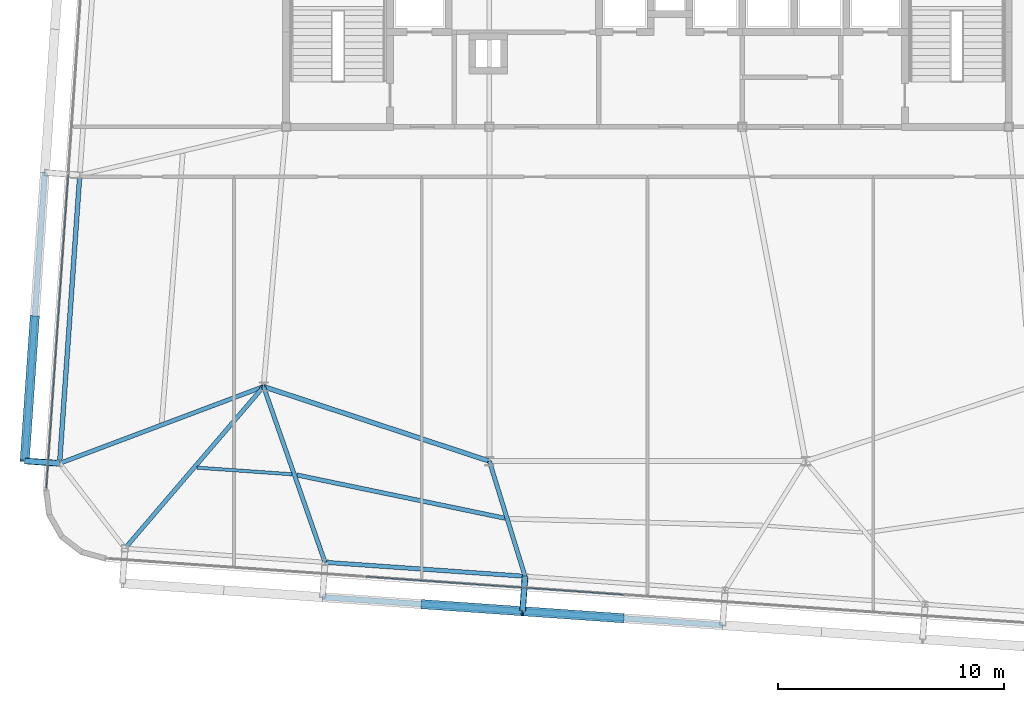
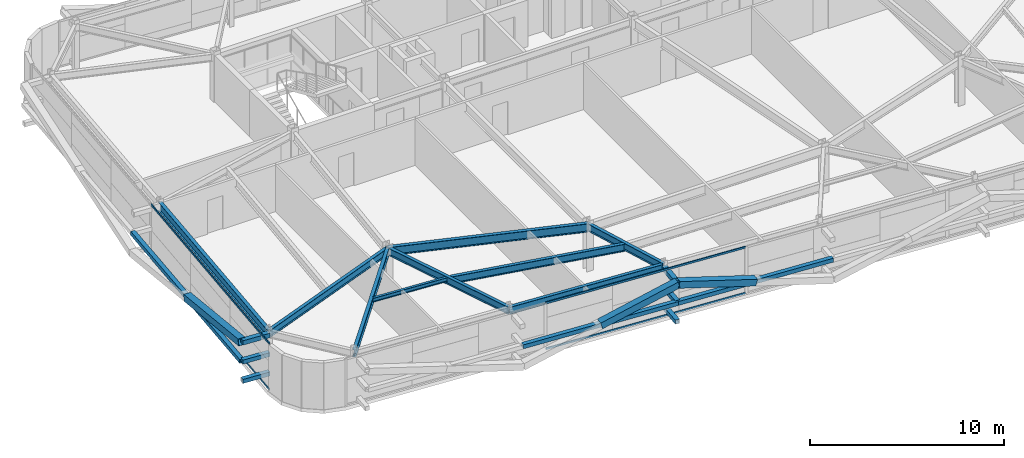
# One storey, part 8 of 39: 16 members, 9 beams, 2 elements without a shape of their own.
"""IFC4 building model written with IfcOpenShell, lengths in metres."""

from ifc_helpers import new_model, si_unit, direction, frame, origin, origin_2d, place, context, subcontext, project, spatial, hollow_rectangle, i_section, extrude, source, transform, mapped, material, layer, layer_set, material_profile, profile_set, type_object, element, aggregate, save


model = new_model("IFC4")

# Units and contexts
model_context = context("Model", 3, precision=1e-05, world=origin(), true_north=direction((0.0, 1.0)))
body_context = subcontext(model_context, "Body", "Model", "MODEL_VIEW")
ifc_project = project(units=[si_unit("LENGTHUNIT", "METRE"), si_unit("AREAUNIT", "SQUARE_METRE"), si_unit("VOLUMEUNIT", "CUBIC_METRE"), si_unit("PLANEANGLEUNIT", "RADIAN"), si_unit("MASSUNIT", "GRAM", prefix="KILO")], contexts=[model_context])

# Site, building, storey
site_placement = place(None, origin())
site = spatial("IfcSite", under=ifc_project, at=site_placement, CompositionType="ELEMENT")
building_placement = place(site_placement, origin())
building = spatial("IfcBuilding", under=site, at=building_placement, Name="Taldren Reach Tower", CompositionType="ELEMENT")
storey_placement = place(building_placement, frame((0.0, 0.0, 148.75)))
storey = spatial("IfcBuildingStorey", under=building, at=storey_placement, Name="L45", CompositionType="ELEMENT", Elevation=148.75)

# Beam
ifc_material_1 = material(Name="Steel Gr 350 (350PLUS)", Category="steel")
ifc_material_profile_1 = material_profile(ifc_material_1, i_section(OverallWidth=0.208984375, OverallDepth=0.532958984375, WebThickness=0.01025390625, FlangeThickness=0.015625, at=origin_2d()), Name="530UB92.4")
ifc_profile_set_1 = profile_set([ifc_material_profile_1], Name="Steel Gr 350 (350PLUS)")
beam_type_1 = type_object("IfcBeamType", Name="BM-UB530A", PredefinedType="BEAM", material=ifc_profile_set_1)
shared_shape_1 = source(origin(), body_context, "Body", "SweptSolid", [
    extrude(i_section(OverallWidth=0.208984375, OverallDepth=0.532958984375, WebThickness=0.01025390625, FlangeThickness=0.015625, at=origin_2d()), origin(), (0.0, 0.0, 1.0), 10.530517578125),
])
beam_1_placement = place(storey_placement, frame((18.0, 12.5, 2.66357421875), z_axis=(0.949627269203, -0.313381635689, 0.0), x_axis=(0.313381635689, 0.949627269203, 0.0)))
element("IfcBeam", 1, at=beam_1_placement, inside=storey, type_object=beam_type_1, Name="Core-spine girder L45-SP10", PredefinedType="BEAM", context=body_context, shape_type="MappedRepresentation", body=[
    mapped(shared_shape_1, transform((0.0, 0.0, 0.0), scale=1.0)),
])

# Members
ifc_material_2 = material(Name="Steel Gr 450 (C450L0)", Category="steel")
ifc_material_profile_2 = material_profile(ifc_material_2, hollow_rectangle(XDim=0.27490234375, YDim=0.27490234375, WallThickness=0.00927734375, at=origin_2d()), Name="275x275x9.3SHS")
ifc_profile_set_2 = profile_set([ifc_material_profile_2], Name="Steel Gr 450 (C450L0)")
member_type_1 = type_object("IfcMemberType", Name="MB-TIE273", PredefinedType="STRUT", material=ifc_profile_set_2)
shared_shape_2 = source(origin(), body_context, "Body", "SweptSolid", [
    extrude(hollow_rectangle(XDim=0.27490234375, YDim=0.27490234375, WallThickness=0.00927734375, at=origin_2d()), origin(), (0.0, 0.0, 1.0), 1.5498046875),
])
member_1_placement = place(storey_placement, frame((8.96875, 9.099609375, 2.64990234375), z_axis=(-0.997573320145, 0.069623781384, 0.0), x_axis=(-0.069623781384, -0.997573320145, 0.0)))
element("IfcMember", 2, at=member_1_placement, inside=storey, type_object=member_type_1, Name="Exoskeleton diaphragm tie strut B3-W1 L45", PredefinedType="STRUT", context=body_context, shape_type="MappedRepresentation", body=[
    mapped(shared_shape_2, transform((0.0, 0.0, 0.0), scale=1.0)),
])
ifc_material_3 = material(Name="Steel Gr 350 (C350L0)", Category="steel")
ifc_material_profile_3 = material_profile(ifc_material_3, hollow_rectangle(XDim=0.25, YDim=0.25, WallThickness=0.010009765625, at=origin_2d()), Name="250x250x10.0SHS")
ifc_profile_set_3 = profile_set([ifc_material_profile_3], Name="Steel Gr 350 (C350L0)")
member_type_2 = type_object("IfcMemberType", Name="MB-POST250", PredefinedType="POST", material=ifc_profile_set_3)
shared_shape_3 = source(origin(), body_context, "Body", "SweptSolid", [
    extrude(hollow_rectangle(XDim=0.25, YDim=0.25, WallThickness=0.010009765625, at=origin_2d()), origin(), (0.0, 0.0, 1.0), 1.5498046875),
])
for number, where, z_axis, x_axis, name in (
    (3, (8.96875, 9.099609375, 0.219970703125), (-0.997573320145, 0.069623781384, 0.0), (-0.069623781384, -0.997573320145, 0.0), "Exoskeleton base diaphragm tie strut B3-W1 L45"),
    (4, (8.96875, 9.099609375, 1.43505859375), (-0.997573320145, 0.069623781384, 0.0), (-0.069623781384, -0.997573320145, 0.0), "Exoskeleton mid-tier diaphragm tie B3-W1 L45"),
):
    element("IfcMember", number, at=place(storey_placement, frame(where, z_axis=z_axis, x_axis=x_axis)), inside=storey, type_object=member_type_2, Name=name, PredefinedType="POST", context=body_context, shape_type="MappedRepresentation", body=[
        mapped(shared_shape_3, transform((0.0, 0.0, 0.0), scale=1.0)),
    ])
shared_shape_4 = source(origin(), body_context, "Body", "SweptSolid", [
    extrude(hollow_rectangle(XDim=0.27490234375, YDim=0.27490234375, WallThickness=0.00927734375, at=origin_2d()), origin(), (0.0, 0.0, 1.0), 1.550048828125),
])
member_2_placement = place(storey_placement, frame((29.580322265625, 4.099609375, 2.64990234375), z_axis=(-0.06976957191, -0.99756313426, 0.0), x_axis=(0.99756313426, -0.06976957191, 0.0)))
element("IfcMember", 5, at=member_2_placement, inside=storey, type_object=member_type_1, Name="Exoskeleton diaphragm tie strut B3-S3 L45", PredefinedType="STRUT", context=body_context, shape_type="MappedRepresentation", body=[
    mapped(shared_shape_4, transform((0.0, 0.0, 0.0), scale=1.0)),
])
shared_shape_5 = source(origin(), body_context, "Body", "SweptSolid", [
    extrude(hollow_rectangle(XDim=0.25, YDim=0.25, WallThickness=0.010009765625, at=origin_2d()), origin(), (0.0, 0.0, 1.0), 1.550048828125),
])
for number, where, z_axis, x_axis, name in (
    (6, (29.580322265625, 4.099609375, 0.219970703125), (-0.06976957191, -0.99756313426, 0.0), (0.99756313426, -0.06976957191, 0.0), "Exoskeleton base diaphragm tie strut B3-S3 L45"),
    (7, (29.580322265625, 4.099609375, 1.43505859375), (-0.06976957191, -0.99756313426, 0.0), (0.99756313426, -0.06976957191, 0.0), "Exoskeleton mid-tier diaphragm tie B3-S3 L45"),
):
    element("IfcMember", number, at=place(storey_placement, frame(where, z_axis=z_axis, x_axis=x_axis)), inside=storey, type_object=member_type_2, Name=name, PredefinedType="POST", context=body_context, shape_type="MappedRepresentation", body=[
        mapped(shared_shape_5, transform((0.0, 0.0, 0.0), scale=1.0)),
    ])

# Beams
ifc_material_profile_4 = material_profile(ifc_material_1, i_section(OverallWidth=0.18994140625, OverallDepth=0.4541015625, WebThickness=0.008544921875, FlangeThickness=0.0126953125, at=origin_2d()), Name="460UB67.1")
ifc_profile_set_4 = profile_set([ifc_material_profile_4], Name="Steel Gr 350 (350PLUS)")
beam_type_2 = type_object("IfcBeamType", Name="SP-UB460B", PredefinedType="SPANDREL", material=ifc_profile_set_4)
shared_shape_6 = source(origin(), body_context, "Body", "SweptSolid", [
    extrude(i_section(OverallWidth=0.18994140625, OverallDepth=0.4541015625, WebThickness=0.008544921875, FlangeThickness=0.0126953125, at=origin_2d()), origin(), (0.0, 0.0, 1.0), 8.880126953125),
])
beam_2_placement = place(storey_placement, frame((20.721923828125, 4.718994140625, 2.702880859375), z_axis=(0.997564479639, -0.069750333063, 0.0), x_axis=(0.069750333063, 0.997564479639, 0.0)))
element("IfcBeam", 8, at=beam_2_placement, inside=storey, type_object=beam_type_2, Name="Perimeter spandrel B3 S2-S3 L45", PredefinedType="SPANDREL", context=body_context, shape_type="MappedRepresentation", body=[
    mapped(shared_shape_6, transform((0.0, 0.0, 0.0), scale=1.0)),
])
ifc_material_profile_5 = material_profile(ifc_material_1, i_section(OverallWidth=0.208984375, OverallDepth=0.528076171875, WebThickness=0.009521484375, FlangeThickness=0.01318359375, at=origin_2d()), Name="530UB82.0")
ifc_profile_set_5 = profile_set([ifc_material_profile_5], Name="Steel Gr 350 (350PLUS)")
beam_type_3 = type_object("IfcBeamType", Name="SP-UB530B", PredefinedType="SPANDREL", material=ifc_profile_set_5)
shared_shape_7 = source(origin(), body_context, "Body", "SweptSolid", [
    extrude(i_section(OverallWidth=0.208984375, OverallDepth=0.528076171875, WebThickness=0.009521484375, FlangeThickness=0.01318359375, at=origin_2d()), origin(), (0.0, 0.0, 1.0), 12.800048828125),
])
beam_3_placement = place(storey_placement, frame((9.86181640625, 21.868408203125, 2.666015625), z_axis=(-0.069770857464, -0.997563044348, 0.0), x_axis=(0.997563044348, -0.069770857464, 0.0)))
element("IfcBeam", 9, at=beam_3_placement, inside=storey, type_object=beam_type_3, Name="Perimeter spandrel B3 W2-W1 L45", PredefinedType="SPANDREL", context=body_context, shape_type="MappedRepresentation", body=[
    mapped(shared_shape_7, transform((0.0, 0.0, 0.0), scale=1.0)),
])
ifc_material_profile_6 = material_profile(ifc_material_1, i_section(OverallWidth=0.19091796875, OverallDepth=0.4599609375, WebThickness=0.010009765625, FlangeThickness=0.01611328125, at=origin_2d()), Name="460UB82.1")
ifc_profile_set_6 = profile_set([ifc_material_profile_6], Name="Steel Gr 350 (350PLUS)")
beam_type_4 = type_object("IfcBeamType", Name="BM-UB460A", PredefinedType="BEAM", material=ifc_profile_set_6)
shared_shape_8 = source(origin(), body_context, "Body", "SweptSolid", [
    extrude(i_section(OverallWidth=0.19091796875, OverallDepth=0.4599609375, WebThickness=0.010009765625, FlangeThickness=0.01611328125, at=origin_2d()), origin(), (0.0, 0.0, 1.0), 9.43115234375),
])
beam_4_placement = place(storey_placement, frame((18.0, 12.5, 2.699951171875), z_axis=(-0.650665584965, -0.759364402999, 0.0), x_axis=(0.759364402999, -0.650665584965, 0.0)))
element("IfcBeam", 10, at=beam_4_placement, inside=storey, type_object=beam_type_4, Name="Primary floor girder B3-S1 L45", PredefinedType="BEAM", context=body_context, shape_type="MappedRepresentation", body=[
    mapped(shared_shape_8, transform((0.0, 0.0, 0.0), scale=1.0)),
])
shared_shape_9 = source(origin(), body_context, "Body", "SweptSolid", [
    extrude(i_section(OverallWidth=0.19091796875, OverallDepth=0.4599609375, WebThickness=0.010009765625, FlangeThickness=0.01611328125, at=origin_2d()), origin(), (0.0, 0.0, 1.0), 8.243408203125),
])
beam_5_placement = place(storey_placement, frame((18.0, 12.5, 2.699951171875), z_axis=(0.330196070713, -0.943912366105, 0.0), x_axis=(0.943912366105, 0.330196070713, 0.0)))
element("IfcBeam", 11, at=beam_5_placement, inside=storey, type_object=beam_type_4, Name="Primary floor girder B3-S2 L45", PredefinedType="BEAM", context=body_context, shape_type="MappedRepresentation", body=[
    mapped(shared_shape_9, transform((0.0, 0.0, 0.0), scale=1.0)),
])
shared_shape_10 = source(origin(), body_context, "Body", "SweptSolid", [
    extrude(i_section(OverallWidth=0.19091796875, OverallDepth=0.4599609375, WebThickness=0.010009765625, FlangeThickness=0.01611328125, at=origin_2d()), origin(), (0.0, 0.0, 1.0), 5.339599609375),
])
beam_6_placement = place(storey_placement, frame((28.0, 9.199951171875, 2.699951171875), z_axis=(0.295964865482, -0.955198826632, 0.0), x_axis=(0.955198826632, 0.295964865482, 0.0)))
element("IfcBeam", 12, at=beam_6_placement, inside=storey, type_object=beam_type_4, Name="Primary floor girder B3-S3 L45", PredefinedType="BEAM", context=body_context, shape_type="MappedRepresentation", body=[
    mapped(shared_shape_10, transform((0.0, 0.0, 0.0), scale=1.0)),
])
shared_shape_11 = source(origin(), body_context, "Body", "SweptSolid", [
    extrude(i_section(OverallWidth=0.19091796875, OverallDepth=0.4599609375, WebThickness=0.010009765625, FlangeThickness=0.01611328125, at=origin_2d()), origin(), (0.0, 0.0, 1.0), 9.650146484375),
])
beam_7_placement = place(storey_placement, frame((18.0, 12.5, 2.699951171875), z_axis=(-0.935862573906, -0.352365212191, 0.0), x_axis=(0.352365212191, -0.935862573906, 0.0)))
element("IfcBeam", 13, at=beam_7_placement, inside=storey, type_object=beam_type_4, Name="Primary floor girder B3-W1 L45", PredefinedType="BEAM", context=body_context, shape_type="MappedRepresentation", body=[
    mapped(shared_shape_11, transform((0.0, 0.0, 0.0), scale=1.0)),
])
ifc_material_4 = material(Name="Steel Gr 300 (300PLUS, 300 MPa)", Category="steel")
ifc_material_profile_7 = material_profile(ifc_material_4, i_section(OverallWidth=0.14599609375, OverallDepth=0.256103515625, WebThickness=0.00634765625, FlangeThickness=0.010986328125, at=origin_2d()), Name="250UB37.3")
ifc_profile_set_7 = profile_set([ifc_material_profile_7], Name="Steel Gr 300 (300PLUS, 300 MPa)")
beam_type_5 = type_object("IfcBeamType", Name="JS-UB250", PredefinedType="JOIST", material=ifc_profile_set_7)
shared_shape_12 = source(origin(), body_context, "Body", "SweptSolid", [
    extrude(i_section(OverallWidth=0.14599609375, OverallDepth=0.256103515625, WebThickness=0.00634765625, FlangeThickness=0.010986328125, at=origin_2d()), origin(), (0.0, 0.0, 1.0), 4.217041015625),
])
beam_8_placement = place(storey_placement, frame((15.050537109375, 8.910888671875, 2.802001953125), z_axis=(0.997563683226, -0.069761722378, 0.0), x_axis=(0.069761722378, 0.997563683226, 0.0)))
element("IfcBeam", 14, at=beam_8_placement, inside=storey, type_object=beam_type_5, Name="Secondary floor joist B3 J1 L45", PredefinedType="JOIST", context=body_context, shape_type="MappedRepresentation", body=[
    mapped(shared_shape_12, transform((0.0, 0.0, 0.0), scale=1.0)),
])
shared_shape_13 = source(origin(), body_context, "Body", "SweptSolid", [
    extrude(i_section(OverallWidth=0.19091796875, OverallDepth=0.4599609375, WebThickness=0.010009765625, FlangeThickness=0.01611328125, at=origin_2d()), origin(), (0.0, 0.0, 1.0), 9.410400390625),
])
beam_9_placement = place(storey_placement, frame((19.469970703125, 8.5869140625, 2.699951171875), z_axis=(0.97907399109, -0.20350459447, 0.0), x_axis=(0.20350459447, 0.97907399109, 0.0)))
element("IfcBeam", 15, at=beam_9_placement, inside=storey, type_object=beam_type_4, Name="Secondary floor beam B3 J2 L45", PredefinedType="BEAM", context=body_context, shape_type="MappedRepresentation", body=[
    mapped(shared_shape_13, transform((0.0, 0.0, 0.0), scale=1.0)),
])

# Members
shared_shape_14 = source(origin(), body_context, "Body", "SweptSolid", [
    extrude(hollow_rectangle(XDim=0.25, YDim=0.25, WallThickness=0.010009765625, at=origin_2d()), origin(), (0.0, 0.0, 1.0), 8.880126953125),
])
for number, where, z_axis, x_axis, name in (
    (16, (20.61376953125, 3.1728515625, 1.43505859375), (0.997562566276, -0.06977769246, 0.0), (0.06977769246, 0.997562566276, 0.0), "Exoskeleton mid-height ring chord B3-S2 L45"),
    (17, (29.47216796875, 2.55322265625, 1.43505859375), (0.997564479639, -0.069750333063, 0.0), (0.069750333063, 0.997564479639, 0.0), "Exoskeleton mid-height ring chord B3-S3 L45"),
):
    element("IfcMember", number, at=place(storey_placement, frame(where, z_axis=z_axis, x_axis=x_axis)), inside=storey, type_object=member_type_2, Name=name, PredefinedType="POST", context=body_context, shape_type="MappedRepresentation", body=[
        mapped(shared_shape_14, transform((0.0, 0.0, 0.0), scale=1.0)),
    ])
shared_shape_15 = source(origin(), body_context, "Body", "SweptSolid", [
    extrude(hollow_rectangle(XDim=0.25, YDim=0.25, WallThickness=0.010009765625, at=origin_2d()), origin(), (0.0, 0.0, 1.0), 12.80029296875),
])
member_3_placement = place(storey_placement, frame((7.422607421875, 9.20751953125, 1.43505859375), z_axis=(0.069750549628, 0.997564464497, 0.0), x_axis=(-0.997564464497, 0.069750549628, 0.0)))
element("IfcMember", 18, at=member_3_placement, inside=storey, type_object=member_type_2, Name="Exoskeleton mid-height ring chord B3-W1 L45", PredefinedType="POST", context=body_context, shape_type="MappedRepresentation", body=[
    mapped(shared_shape_15, transform((0.0, 0.0, 0.0), scale=1.0)),
])
ifc_material_profile_8 = material_profile(ifc_material_2, hollow_rectangle(XDim=0.409912109375, YDim=0.409912109375, WallThickness=0.01611328125, at=origin_2d()), Name="410x410x16.0SHS")
ifc_profile_set_8 = profile_set([ifc_material_profile_8], Name="Steel Gr 450 (C450L0)")
member_type_3 = type_object("IfcMemberType", Name="MB-EXO406", PredefinedType="BRACE", material=ifc_profile_set_8)
shared_shape_16 = source(origin(), body_context, "Body", "SweptSolid", [
    extrude(hollow_rectangle(XDim=0.409912109375, YDim=0.409912109375, WallThickness=0.01611328125, at=origin_2d()), origin(), (0.0, 0.0, 1.0), 4.603271484375),
])
for number, where, z_axis, x_axis, name in (
    (19, (25.04296875, 2.863037109375, 1.43505859375), (0.962195820062, -0.067303852699, 0.263911718699), (0.06977769246, 0.997562566276, 0.0), "Exoskeleton Diagrid Brace B3-S2 L45"),
    (20, (33.9013671875, 2.24365234375, 1.43505859375), (-0.962199253371, 0.067251055742, 0.263912660389), (-0.069722973508, -0.997566392259, 0.0), "Exoskeleton Diagrid Brace B3-S3 L45"),
):
    element("IfcMember", number, at=place(storey_placement, frame(where, z_axis=z_axis, x_axis=x_axis)), inside=storey, type_object=member_type_3, Name=name, PredefinedType="BRACE", context=body_context, shape_type="MappedRepresentation", body=[
        mapped(shared_shape_16, transform((0.0, 0.0, 0.0), scale=1.0)),
    ])
shared_shape_17 = source(origin(), body_context, "Body", "SweptSolid", [
    extrude(hollow_rectangle(XDim=0.409912109375, YDim=0.409912109375, WallThickness=0.01611328125, at=origin_2d()), origin(), (0.0, 0.0, 1.0), 6.514404296875),
])
member_4_placement = place(storey_placement, frame((7.869140625, 15.592041015625, 1.43505859375), z_axis=(-0.068545605936, -0.980063499638, 0.186486022492), x_axis=(0.997563137195, -0.069769529958, 0.0)))
element("IfcMember", 21, at=member_4_placement, inside=storey, type_object=member_type_3, Name="Exoskeleton Diagrid Brace B3-W1 L45", PredefinedType="BRACE", context=body_context, shape_type="MappedRepresentation", body=[
    mapped(shared_shape_17, transform((0.0, 0.0, 0.0), scale=1.0)),
])

# Curtain wall, members
ifc_material_5 = material(Name="Aluminium and Low-E Glass Unitised System", Category="aluminium")
ifc_layer = layer(ifc_material_5, 0.159912109375)
ifc_layer_set = layer_set([ifc_layer], Name="Aluminium and Low-E Glass Unitised System")
curtain_wall_type = type_object("IfcCurtainWallType", Name="CW-SYS-4", PredefinedType="NOTDEFINED", material=ifc_layer_set)
curtain_wall_1_placement = place(storey_placement, origin())
curtain_wall_1 = element("IfcCurtainWall", 22, at=curtain_wall_1_placement, inside=storey, type_object=curtain_wall_type, Name="Unitised curtain wall CW-L45-S", PredefinedType="NOTDEFINED")
ifc_material_6 = material(Name="Anodised Aluminium 6063-T6", Category="aluminium")
ifc_material_profile_9 = material_profile(ifc_material_6, hollow_rectangle(XDim=0.054931640625, YDim=0.1201171875, WallThickness=0.0029296875, at=origin_2d()), Name="ALU-120x55x3RHS")
ifc_profile_set_9 = profile_set([ifc_material_profile_9], Name="Anodised Aluminium 6063-T6")
member_type_4 = type_object("IfcMemberType", Name="CW-TRN-135", PredefinedType="USERDEFINED", material=ifc_profile_set_9)
shared_shape_18 = source(origin(), body_context, "Body", "SweptSolid", [
    extrude(hollow_rectangle(XDim=0.054931640625, YDim=0.1201171875, WallThickness=0.0029296875, at=origin_2d()), origin(), (0.0, 0.0, 1.0), 11.429931640625),
])
member_5_placement = place(storey_placement, frame((22.536865234375, 4.080810546875, 0.027587890625), z_axis=(0.997563740938, -0.069760897114, 0.0), x_axis=(0.069760897114, 0.997563740938, 0.0)))
member_5 = element("IfcMember", 23, at=member_5_placement, type_object=member_type_4, Name="CW-4 transom 2.1", ObjectType="TRANSOM", PredefinedType="USERDEFINED", context=body_context, shape_type="MappedRepresentation", body=[
    mapped(shared_shape_18, transform((0.0, 0.0, 0.0), scale=1.0)),
])
member_6_placement = place(storey_placement, frame((22.536865234375, 4.080810546875, 2.902587890625), z_axis=(0.997563740938, -0.069760897114, 0.0), x_axis=(0.069760897114, 0.997563740938, 0.0)))
member_6 = element("IfcMember", 24, at=member_6_placement, type_object=member_type_4, Name="CW-4 transom 2.2", ObjectType="TRANSOM", PredefinedType="USERDEFINED", context=body_context, shape_type="MappedRepresentation", body=[
    mapped(shared_shape_18, transform((0.0, 0.0, 0.0), scale=1.0)),
])
aggregate(curtain_wall_1, [member_5, member_6])

curtain_wall_2_placement = place(storey_placement, origin())
curtain_wall_2 = element("IfcCurtainWall", 25, at=curtain_wall_2_placement, inside=storey, type_object=curtain_wall_type, Name="Unitised curtain wall CW-L45-W", PredefinedType="NOTDEFINED")
shared_shape_19 = source(origin(), body_context, "Body", "SweptSolid", [
    extrude(hollow_rectangle(XDim=0.054931640625, YDim=0.1201171875, WallThickness=0.0029296875, at=origin_2d()), origin(), (0.0, 0.0, 1.0), 13.89501953125),
])
member_7_placement = place(storey_placement, frame((9.3505859375, 21.868896484375, 0.027587890625), z_axis=(-0.069754817075, -0.997564166104, 0.0), x_axis=(0.997564166104, -0.069754817075, 0.0)))
member_7 = element("IfcMember", 26, at=member_7_placement, type_object=member_type_4, Name="CW-4 transom 2.1", ObjectType="TRANSOM", PredefinedType="USERDEFINED", context=body_context, shape_type="MappedRepresentation", body=[
    mapped(shared_shape_19, transform((0.0, 0.0, 0.0), scale=1.0)),
])
member_8_placement = place(storey_placement, frame((9.3505859375, 21.868896484375, 2.902587890625), z_axis=(-0.069754817075, -0.997564166104, 0.0), x_axis=(0.997564166104, -0.069754817075, 0.0)))
member_8 = element("IfcMember", 27, at=member_8_placement, type_object=member_type_4, Name="CW-4 transom 2.2", ObjectType="TRANSOM", PredefinedType="USERDEFINED", context=body_context, shape_type="MappedRepresentation", body=[
    mapped(shared_shape_19, transform((0.0, 0.0, 0.0), scale=1.0)),
])
aggregate(curtain_wall_2, [member_7, member_8])

save(model, "model.ifc")
